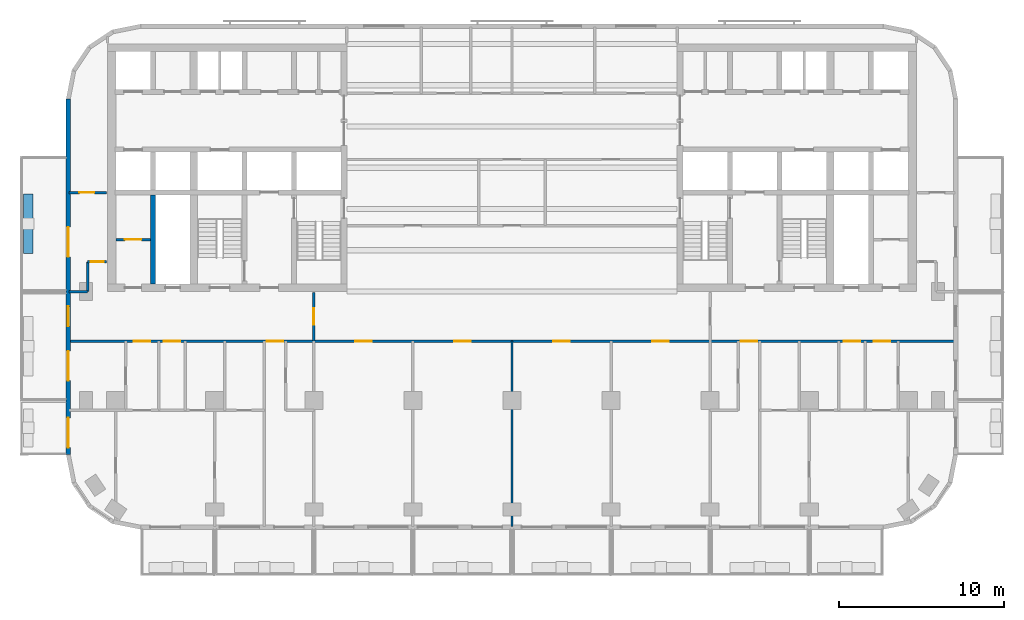
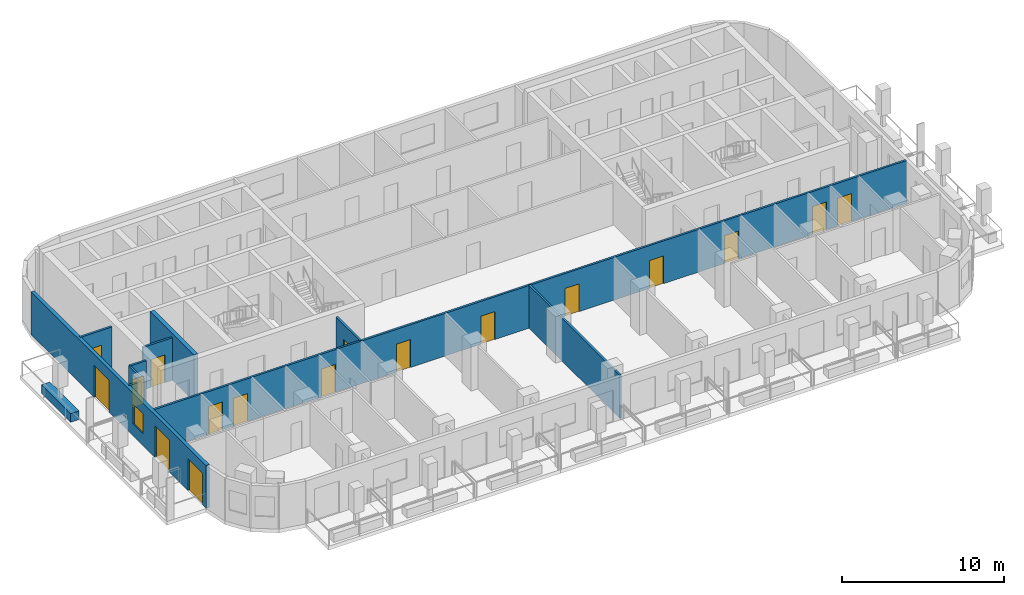
# One storey, part 3 of 12: 17 doors, 11 walls, 1 window, 18 openings.
"""IFC4 building model written with IfcOpenShell, lengths in metres."""

import ifcopenshell
import ifcopenshell.guid

model = None  # the IFC model being written
_history = None  # IfcOwnerHistory: only IFC2X3 demands one
_inside = {}  # id of a spatial element -> (the spatial element, [elements in it])
_under = {}  # id of a project, library or spatial element -> (it, [spatial elements below it])
_declared = {}  # id of a project -> (the project, [libraries it declares])
_typed = {}  # id of a type object -> (the type object, [elements of that type])
_made_of = {}  # id of a material, layer set ... -> (it, [elements and type objects made of it])


def new_model(schema):
    """Start an empty IFC model of exactly this schema.

    Asked for "IFC4X3", IfcOpenShell would pick the latest addendum, in which some entities
    have other attributes; the version numbers below select the first issue.
    IFC2X3 requires an IfcOwnerHistory on every rooted entity: one is made here for all.
    """
    global model, _history
    if schema == "IFC4X3":
        model = ifcopenshell.file(schema_version=(4, 3, 0, 0))
    else:
        model = ifcopenshell.file(schema=schema)
    _inside.clear()
    _under.clear()
    _declared.clear()
    _typed.clear()
    _made_of.clear()
    _history = None
    if model.schema == "IFC2X3":
        org = make("IfcOrganization", Name="unknown")
        user = make(
            "IfcPersonAndOrganization",
            ThePerson=make("IfcPerson", FamilyName="unknown"),
            TheOrganization=org,
        )
        app = make(
            "IfcApplication",
            ApplicationDeveloper=org,
            Version="unknown",
            ApplicationFullName="unknown",
            ApplicationIdentifier="unknown",
        )
        _history = make(
            "IfcOwnerHistory",
            OwningUser=user,
            OwningApplication=app,
            ChangeAction="ADDED",
            CreationDate=0,
        )
    return model


def make(cls, **values):
    """One entity of the class cls with the attributes given. An attribute that is None is left unset."""
    return model.create_entity(
        cls, **{name: value for name, value in values.items() if value is not None}
    )


def rooted(cls, **values):
    """An entity with a GlobalId (a new one), such as an element, a storey or a relation."""
    return make(cls, GlobalId=ifcopenshell.guid.new(), OwnerHistory=_history, **values)


def si_unit(unit_type, name, prefix=None):
    """IfcSIUnit, for example si_unit("LENGTHUNIT", "METRE", prefix="MILLI")."""
    return make("IfcSIUnit", UnitType=unit_type, Prefix=prefix, Name=name)


def assignment(units):
    """IfcUnitAssignment: the units of a project."""
    return None if units is None else make("IfcUnitAssignment", Units=units)


def point(xyz):
    """IfcCartesianPoint."""
    return None if xyz is None else make("IfcCartesianPoint", Coordinates=xyz)


def direction(xyz):
    """IfcDirection."""
    return None if xyz is None else make("IfcDirection", DirectionRatios=xyz)


def frame(location, z_axis=None, x_axis=None):
    """IfcAxis2Placement3D, a coordinate frame: its origin and axes. An axis left out is left unset."""
    return make(
        "IfcAxis2Placement3D",
        Location=point(location),
        Axis=direction(z_axis),
        RefDirection=direction(x_axis),
    )


def frame_2d(location, x_axis=None):
    """IfcAxis2Placement2D, a coordinate frame in the plane: its origin and x axis."""
    return make(
        "IfcAxis2Placement2D", Location=point(location), RefDirection=direction(x_axis)
    )


def origin():
    """The frame at (0, 0, 0) with its axes left unset."""
    return frame((0.0, 0.0, 0.0))


def place(relative_to, where):
    """IfcLocalPlacement: puts the frame where relative to a parent placement (None: the world)."""
    return make(
        "IfcLocalPlacement", PlacementRelTo=relative_to, RelativePlacement=where
    )


def context(
    kind, dimensions, precision=None, world=None, true_north=None, identifier=None
):
    """IfcGeometricRepresentationContext, for example the 3D "Model" context."""
    return make(
        "IfcGeometricRepresentationContext",
        ContextIdentifier=identifier,
        ContextType=kind,
        CoordinateSpaceDimension=dimensions,
        Precision=precision,
        WorldCoordinateSystem=world,
        TrueNorth=true_north,
    )


def subcontext(parent, identifier, kind, view, scale=None):
    """IfcGeometricRepresentationSubContext, for example "Body" below "Model"."""
    return make(
        "IfcGeometricRepresentationSubContext",
        ContextIdentifier=identifier,
        ContextType=kind,
        ParentContext=parent,
        TargetScale=scale,
        TargetView=view,
    )


def project(units=None, contexts=None):
    """IfcProject with its units and contexts."""
    return rooted(
        "IfcProject",
        Name="project",
        RepresentationContexts=contexts,
        UnitsInContext=assignment(units),
    )


def spatial(cls, under=None, at=None, **own):
    """A site, building, storey or space (cls), placed at a placement, below another one or the project."""
    s = rooted(cls, ObjectPlacement=at, **own)
    if under is not None:
        _under.setdefault(under.id(), (under, []))[1].append(s)
    return s


def profile(cls, at=None, kind="AREA", **sizes):
    """A parametric profile (cls). Its sizes go by their IFC names, for example OverallWidth=200.0."""
    return make(cls, ProfileType=kind, Position=at, **sizes)


def rectangle(**sizes):
    """IfcRectangleProfileDef."""
    return profile("IfcRectangleProfileDef", **sizes)


def extrude(swept, where, along, depth):
    """IfcExtrudedAreaSolid: the profile swept, set in the frame where, extruded along a direction by depth."""
    return make(
        "IfcExtrudedAreaSolid",
        SweptArea=swept,
        Position=where,
        ExtrudedDirection=direction(along),
        Depth=depth,
    )


def shape(context_of_items, identifier, shape_type, items):
    """IfcShapeRepresentation: the items that make up one representation, for example the "Body"."""
    return make(
        "IfcShapeRepresentation",
        ContextOfItems=context_of_items,
        RepresentationIdentifier=identifier,
        RepresentationType=shape_type,
        Items=items,
    )


def material(Name=None, Category=None):
    """IfcMaterial."""
    return make("IfcMaterial", Name=Name, Category=Category)


def layer(
    of_material, thickness, ventilated=None, Name=None, Category=None, Priority=None
):
    """IfcMaterialLayer: one layer of a wall or slab, of a material (None: an air gap)."""
    return make(
        "IfcMaterialLayer",
        Material=of_material,
        LayerThickness=thickness,
        IsVentilated=ventilated,
        Name=Name,
        Category=Category,
        Priority=Priority,
    )


def layer_set(layers, Name=None):
    """IfcMaterialLayerSet."""
    return make("IfcMaterialLayerSet", MaterialLayers=layers, LayerSetName=Name)


def made_of(thing, what):
    """Note that an element or type object is made of a material, layer set ...; save() writes the relation."""
    if what is not None:
        _made_of.setdefault(what.id(), (what, []))[1].append(thing)
    return thing


def type_object(cls, material=None, **own):
    """A type object (cls), such as IfcWallType, which elements share."""
    return made_of(rooted(cls, **own), material)


def element(
    cls,
    number,
    at=None,
    inside=None,
    cuts=None,
    type_object=None,
    material=None,
    context=None,
    identifier="Body",
    shape_type=None,
    held_by="IfcProductDefinitionShape",
    body=None,
    shapes=None,
    **own,
):
    """One element of the class cls, such as IfcWall. Its Tag is "e" and its number.

    at: its placement. inside: the storey or other place that contains it. cuts: it is an
    opening in that element (IfcRelVoidsElement). A single representation is given by context,
    identifier, shape_type and body (its items); several are given by shapes. held_by: the class
    of the entity that holds the representations. save() writes the other relations.
    """
    e = rooted(cls, Tag="e%d" % number, ObjectPlacement=at, **own)
    if body is not None:
        shapes = [shape(context, identifier, shape_type, body)]
    if shapes is not None:
        e.Representation = make(held_by, Representations=shapes)
    if inside is not None:
        _inside.setdefault(inside.id(), (inside, []))[1].append(e)
    if cuts is not None:
        rooted(
            "IfcRelVoidsElement", RelatingBuildingElement=cuts, RelatedOpeningElement=e
        )
    if type_object is not None:
        _typed.setdefault(type_object.id(), (type_object, []))[1].append(e)
    return made_of(e, material)


def fill(opening, filler):
    """IfcRelFillsElement: the door or window that sits in an opening."""
    return rooted(
        "IfcRelFillsElement",
        RelatingOpeningElement=opening,
        RelatedBuildingElement=filler,
    )


def aggregate(whole, parts):
    """IfcRelAggregates: a whole, such as a stair, and the parts it consists of."""
    return rooted("IfcRelAggregates", RelatingObject=whole, RelatedObjects=parts)


def save(model, path):
    """Write the relations noted so far, then the file.

    IfcRelAggregates (storeys below a building ...), IfcRelContainedInSpatialStructure (elements
    in a storey), IfcRelDefinesByType, IfcRelAssociatesMaterial and IfcRelDeclares: one each for
    every whole, place, type object, material and project.
    """
    for whole, parts in _under.values():
        aggregate(whole, parts)
    for where, things in _inside.values():
        rooted(
            "IfcRelContainedInSpatialStructure",
            RelatedElements=things,
            RelatingStructure=where,
        )
    for kind, things in _typed.values():
        rooted("IfcRelDefinesByType", RelatedObjects=things, RelatingType=kind)
    for what, things in _made_of.values():
        rooted("IfcRelAssociatesMaterial", RelatedObjects=things, RelatingMaterial=what)
    for by, libraries in _declared.values():
        rooted("IfcRelDeclares", RelatingContext=by, RelatedDefinitions=libraries)
    model.write(path)


model = new_model("IFC4")

# Units and contexts
model_context = context("Model", 3, precision=1e-05, world=origin(), true_north=direction((0.0, 1.0)))
body_context = subcontext(model_context, "Body", "Model", "MODEL_VIEW")
ifc_project = project(units=[si_unit("LENGTHUNIT", "METRE"), si_unit("AREAUNIT", "SQUARE_METRE"), si_unit("VOLUMEUNIT", "CUBIC_METRE"), si_unit("PLANEANGLEUNIT", "RADIAN"), si_unit("MASSUNIT", "GRAM", prefix="KILO")], contexts=[model_context])

# Site, building, storey
site_placement = place(None, origin())
site = spatial("IfcSite", under=ifc_project, at=site_placement, CompositionType="ELEMENT")
building_placement = place(site_placement, origin())
building = spatial("IfcBuilding", under=site, at=building_placement, Name="Torana Hotel and Residences", CompositionType="ELEMENT")
storey_placement = place(building_placement, frame((0.0, 0.0, 197.60009765625)))
storey = spatial("IfcBuildingStorey", under=building, at=storey_placement, Name="L51", CompositionType="ELEMENT", Elevation=197.60009765625)

# Wall
ifc_material_1 = material(Name="Concrete C70/85", Category="concrete")
ifc_layer_1 = layer(ifc_material_1, 0.300048828125)
ifc_layer_set_1 = layer_set([ifc_layer_1], Name="CORE WALL 300 C70/85")
wall_type_1 = type_object("IfcWallType", Name="CORE WALL 300 C70/85", PredefinedType="SHEAR", material=ifc_layer_set_1)
wall_1_placement = place(storey_placement, frame((-21.75, -14.550048828125, 0.0), z_axis=(0.0, 0.0, 1.0), x_axis=(0.0, 1.0, 0.0)))
element("IfcWall", 1, at=wall_1_placement, inside=storey, type_object=wall_type_1, Name="Core wall W mm-band", PredefinedType="SHEAR", context=body_context, shape_type="SweptSolid", body=[
    extrude(rectangle(XDim=5.400146484375, YDim=0.300048828125, at=frame_2d((2.7001953125, 0.0))), origin(), (0.0, 0.0, 1.0), 3.5),
])

# Wall, openings, doors, window
ifc_material_2 = material(Name="Black aluminium composite panel", Category="aluminium")
ifc_layer_2 = layer(ifc_material_2, 0.00390625, Name="Cladding", Category="cladding")
ifc_material_3 = material(Name="Ventilated air cavity")
ifc_layer_3 = layer(ifc_material_3, 0.0400390625, Name="Ventilated cavity", Category="cavity")
ifc_material_4 = material(Name="Mineral wool insulation")
ifc_layer_4 = layer(ifc_material_4, 0.090087890625, Name="Insulation", Category="insulation")
ifc_material_5 = material(Name="Steel S280GD", Category="steel")
ifc_layer_5 = layer(ifc_material_5, 0.092041015625, Name="Steel stud frame", Category="structure")
ifc_material_6 = material(Name="Fire rated plasterboard")
ifc_layer_6 = layer(ifc_material_6, 0.011962890625, Name="Inner board", Category="finish")
ifc_layer_7 = layer(ifc_material_6, 0.011962890625, Name="Second board", Category="finish")
ifc_layer_set_2 = layer_set([ifc_layer_2, ifc_layer_3, ifc_layer_4, ifc_layer_5, ifc_layer_6, ifc_layer_7], Name="EW1 EXTERNAL WALL BLACK METAL CLAD 250")
wall_type_2 = type_object("IfcWallType", Name="EW1 EXTERNAL WALL BLACK METAL CLAD 250", PredefinedType="SOLIDWALL", material=ifc_layer_set_2)
wall_2_placement = place(storey_placement, frame((-26.875, -3.32470703125, 0.0), z_axis=(0.0, 0.0, 1.0), x_axis=(0.0, -1.0, 0.0)))
wall_2 = element("IfcWall", 2, at=wall_2_placement, inside=storey, type_object=wall_type_2, Name="External wall L51 e0.9", PredefinedType="SOLIDWALL", context=body_context, shape_type="SweptSolid", body=[
    extrude(rectangle(XDim=21.55078125, YDim=0.25, at=frame_2d((10.775390625, 0.0))), origin(), (0.0, 0.0, 1.0), 3.219970703125),
])
opening_1_placement = place(wall_2_placement, frame((7.775390625, 0.0, 0.0)))
opening_1 = element("IfcOpeningElement", 3, at=opening_1_placement, cuts=wall_2, Name="Opening L51-E12", PredefinedType="OPENING", context=body_context, shape_type="SweptSolid", body=[
    extrude(rectangle(XDim=1.800048828125, YDim=2.39990234375, at=frame_2d((0.89990234375, 1.199951171875))), frame((0.0, 0.135009765625, 0.0), z_axis=(0.0, -1.0, 0.0), x_axis=(1.0, 0.0, 0.0)), (0.0, 0.0, 1.0), 0.27001953125),
])
opening_2_placement = place(wall_2_placement, frame((12.575439453125, 0.0, 0.89990234375)))
opening_2 = element("IfcOpeningElement", 4, at=opening_2_placement, cuts=wall_2, Name="Opening W5", PredefinedType="OPENING", context=body_context, shape_type="SweptSolid", body=[
    extrude(rectangle(XDim=1.199951171875, YDim=1.5, at=frame_2d((0.60009765625, 0.75))), frame((0.0, 0.135009765625, 0.0), z_axis=(0.0, -1.0, 0.0), x_axis=(1.0, 0.0, 0.0)), (0.0, 0.0, 1.0), 0.27001953125),
])
opening_3_placement = place(wall_2_placement, frame((15.275390625, 0.0, 0.0)))
opening_3 = element("IfcOpeningElement", 5, at=opening_3_placement, cuts=wall_2, Name="Opening L51-E13", PredefinedType="OPENING", context=body_context, shape_type="SweptSolid", body=[
    extrude(rectangle(XDim=1.800048828125, YDim=2.39990234375, at=frame_2d((0.89990234375, 1.199951171875))), frame((0.0, 0.135009765625, 0.0), z_axis=(0.0, -1.0, 0.0), x_axis=(1.0, 0.0, 0.0)), (0.0, 0.0, 1.0), 0.27001953125),
])
opening_4_placement = place(wall_2_placement, frame((19.325439453125, 0.0, 0.0)))
opening_4 = element("IfcOpeningElement", 6, at=opening_4_placement, cuts=wall_2, Name="Opening L51-E14", PredefinedType="OPENING", context=body_context, shape_type="SweptSolid", body=[
    extrude(rectangle(XDim=1.800048828125, YDim=2.39990234375, at=frame_2d((0.89990234375, 1.199951171875))), frame((0.0, 0.135009765625, 0.0), z_axis=(0.0, -1.0, 0.0), x_axis=(1.0, 0.0, 0.0)), (0.0, 0.0, 1.0), 0.27001953125),
])
ifc_material_7 = material(Name="Dark glass in black aluminium frame", Category="aluminium")
door_type_1 = type_object("IfcDoorType", Name="DB1 BALCONY DOOR 1800x2400", OperationType="DOUBLE_DOOR_SINGLE_SWING", PredefinedType="DOOR", material=ifc_material_7)
door_1_placement = place(opening_1_placement, origin())
door_1 = element("IfcDoor", 7, at=door_1_placement, inside=storey, type_object=door_type_1, Name="Balcony door L51", OperationType="DOUBLE_DOOR_SINGLE_SWING", OverallHeight=2.39990234375, OverallWidth=1.800048828125, PredefinedType="DOOR", context=body_context, shape_type="SweptSolid", body=[
    extrude(rectangle(XDim=1.800048828125, YDim=2.39990234375, at=frame_2d((0.89990234375, 1.199951171875))), frame((0.0, 0.02490234375, 0.0), z_axis=(0.0, -1.0, 0.0), x_axis=(1.0, 0.0, 0.0)), (0.0, 0.0, 1.0), 0.050048828125),
])
fill(opening_1, door_1)
door_2_placement = place(opening_3_placement, origin())
door_2 = element("IfcDoor", 8, at=door_2_placement, inside=storey, type_object=door_type_1, Name="Balcony door L51", OperationType="DOUBLE_DOOR_SINGLE_SWING", OverallHeight=2.39990234375, OverallWidth=1.800048828125, PredefinedType="DOOR", context=body_context, shape_type="SweptSolid", body=[
    extrude(rectangle(XDim=1.800048828125, YDim=2.39990234375, at=frame_2d((0.89990234375, 1.199951171875))), frame((0.0, 0.02490234375, 0.0), z_axis=(0.0, -1.0, 0.0), x_axis=(1.0, 0.0, 0.0)), (0.0, 0.0, 1.0), 0.050048828125),
])
fill(opening_3, door_2)
door_3_placement = place(opening_4_placement, origin())
door_3 = element("IfcDoor", 9, at=door_3_placement, inside=storey, type_object=door_type_1, Name="Balcony door L51", OperationType="DOUBLE_DOOR_SINGLE_SWING", OverallHeight=2.39990234375, OverallWidth=1.800048828125, PredefinedType="DOOR", context=body_context, shape_type="SweptSolid", body=[
    extrude(rectangle(XDim=1.800048828125, YDim=2.39990234375, at=frame_2d((0.89990234375, 1.199951171875))), frame((0.0, 0.02490234375, 0.0), z_axis=(0.0, -1.0, 0.0), x_axis=(1.0, 0.0, 0.0)), (0.0, 0.0, 1.0), 0.050048828125),
])
fill(opening_4, door_3)
ifc_material_8 = material(Name="Dark glass in black aluminium frame", Category="aluminium")
window_type = type_object("IfcWindowType", Name="W5 CORNER FACET WINDOW 1200x1500", PartitioningType="SINGLE_PANEL", PredefinedType="WINDOW", material=ifc_material_8)
window_placement = place(opening_2_placement, origin())
window = element("IfcWindow", 10, at=window_placement, inside=storey, type_object=window_type, Name="Window L51", OverallHeight=1.5, OverallWidth=1.199951171875, PartitioningType="SINGLE_PANEL", PredefinedType="WINDOW", context=body_context, shape_type="SweptSolid", body=[
    extrude(rectangle(XDim=1.199951171875, YDim=1.5, at=frame_2d((0.60009765625, 0.75))), frame((0.0, 0.030029296875, 0.0), z_axis=(0.0, -1.0, 0.0), x_axis=(1.0, 0.0, 0.0)), (0.0, 0.0, 1.0), 0.06005859375),
])
fill(opening_2, window)

# Wall, opening, door
ifc_material_9 = material(Name="Gypsum plaster")
ifc_layer_8 = layer(ifc_material_9, 0.014892578125, Name="Plaster", Category="finish")
ifc_material_10 = material(Name="Concrete blockwork", Category="masonry")
ifc_layer_9 = layer(ifc_material_10, 0.1201171875, Name="Blockwork", Category="structure")
ifc_layer_10 = layer(ifc_material_9, 0.014892578125, Name="Plaster", Category="finish")
ifc_layer_set_3 = layer_set([ifc_layer_8, ifc_layer_9, ifc_layer_10], Name="FIRE PARTITION 150 BLOCKWORK")
wall_type_3 = type_object("IfcWallType", Name="FIRE PARTITION 150 BLOCKWORK", PredefinedType="PARTITIONING", material=ifc_layer_set_3)
wall_3_placement = place(storey_placement, frame((-24.0, -11.85009765625, 0.0), z_axis=(0.0, 0.0, 1.0), x_axis=(1.0, 0.0, 0.0)))
wall_3 = element("IfcWall", 11, at=wall_3_placement, inside=storey, type_object=wall_type_3, Name="Core partition L51", PredefinedType="PARTITIONING", context=body_context, shape_type="SweptSolid", body=[
    extrude(rectangle(XDim=2.10009765625, YDim=0.14990234375, at=frame_2d((1.050048828125, 0.0))), origin(), (0.0, 0.0, 1.0), 3.199951171875),
])
opening_5_placement = place(wall_3_placement, frame((0.550048828125, 0.0, 0.0)))
opening_5 = element("IfcOpeningElement", 12, at=opening_5_placement, cuts=wall_3, Name="Opening L51-31", PredefinedType="OPENING", context=body_context, shape_type="SweptSolid", body=[
    extrude(rectangle(XDim=1.0, YDim=2.10009765625, at=frame_2d((0.5, 1.050048828125))), frame((0.0, 0.0849609375, 0.0), z_axis=(0.0, -1.0, 0.0), x_axis=(1.0, 0.0, 0.0)), (0.0, 0.0, 1.0), 0.169921875),
])
ifc_material_11 = material(Name="Steel S235", Category="steel")
door_type_2 = type_object("IfcDoorType", Name="CORE ROOM FIRE DOOR D14 1000x2100", OperationType="SINGLE_SWING_LEFT", PredefinedType="DOOR", material=ifc_material_11)
door_4_placement = place(opening_5_placement, origin())
door_4 = element("IfcDoor", 13, at=door_4_placement, inside=storey, type_object=door_type_2, Name="Plant room door L51", OperationType="SINGLE_SWING_RIGHT", OverallHeight=2.10009765625, OverallWidth=1.0, PredefinedType="DOOR", context=body_context, shape_type="SweptSolid", body=[
    extrude(rectangle(XDim=1.0, YDim=2.10009765625, at=frame_2d((0.5, 1.050048828125))), frame((0.0, 0.02490234375, 0.0), z_axis=(0.0, -1.0, 0.0), x_axis=(1.0, 0.0, 0.0)), (0.0, 0.0, 1.0), 0.050048828125),
])
fill(opening_5, door_4)

wall_4_placement = place(storey_placement, frame((-12.0, -18.0, 0.0), z_axis=(0.0, 0.0, 1.0), x_axis=(0.0, 1.0, 0.0)))
wall_4 = element("IfcWall", 14, at=wall_4_placement, inside=storey, type_object=wall_type_3, Name="Partition L51", PredefinedType="PARTITIONING", context=body_context, shape_type="SweptSolid", body=[
    extrude(rectangle(XDim=2.949951171875, YDim=0.14990234375, at=frame_2d((1.47509765625, 0.0))), origin(), (0.0, 0.0, 1.0), 3.219970703125),
])
opening_6_placement = place(wall_4_placement, frame((1.0, 0.0, 0.0)))
opening_6 = element("IfcOpeningElement", 15, at=opening_6_placement, cuts=wall_4, Name="Opening L51-33", PredefinedType="OPENING", context=body_context, shape_type="SweptSolid", body=[
    extrude(rectangle(XDim=1.0, YDim=2.10009765625, at=frame_2d((0.5, 1.050048828125))), frame((0.0, 0.0849609375, 0.0), z_axis=(0.0, -1.0, 0.0), x_axis=(1.0, 0.0, 0.0)), (0.0, 0.0, 1.0), 0.169921875),
])
ifc_material_12 = material(Name="Steel S235", Category="steel")
door_type_3 = type_object("IfcDoorType", Name="ENTRY FIRE DOOR D6 1000x2100", OperationType="SINGLE_SWING_LEFT", PredefinedType="DOOR", material=ifc_material_12)
door_5_placement = place(opening_6_placement, origin())
door_5 = element("IfcDoor", 16, at=door_5_placement, inside=storey, type_object=door_type_3, Name="Door L51", OperationType="SINGLE_SWING_RIGHT", OverallHeight=2.10009765625, OverallWidth=1.0, PredefinedType="DOOR", context=body_context, shape_type="SweptSolid", body=[
    extrude(rectangle(XDim=1.0, YDim=2.10009765625, at=frame_2d((0.5, 1.050048828125))), frame((0.0, 0.02490234375, 0.0), z_axis=(0.0, -1.0, 0.0), x_axis=(1.0, 0.0, 0.0)), (0.0, 0.0, 1.0), 0.050048828125),
])
fill(opening_6, door_5)

# Wall
wall_5_placement = place(storey_placement, frame((-25.699951171875, -15.0, 0.0), z_axis=(0.0, 0.0, 1.0), x_axis=(0.0, 1.0, 0.0)))
element("IfcWall", 17, at=wall_5_placement, inside=storey, type_object=wall_type_3, Name="Partition L51", PredefinedType="PARTITIONING", context=body_context, shape_type="SweptSolid", body=[
    extrude(rectangle(XDim=1.800048828125, YDim=0.14990234375, at=frame_2d((0.89990234375, 0.0))), origin(), (0.0, 0.0, 1.0), 3.219970703125),
])

# Wall, openings, doors
wall_6_placement = place(storey_placement, frame((-26.820068359375, -18.0, 0.0), z_axis=(0.0, 0.0, 1.0), x_axis=(1.0, 0.0, 0.0)))
wall_6 = element("IfcWall", 18, at=wall_6_placement, inside=storey, type_object=wall_type_3, Name="Partition L51", PredefinedType="PARTITIONING", context=body_context, shape_type="SweptSolid", body=[
    extrude(rectangle(XDim=53.64013671875, YDim=0.14990234375, at=frame_2d((26.820068359375, 0.0))), origin(), (0.0, 0.0, 1.0), 3.219970703125),
])
opening_7_placement = place(wall_6_placement, frame((11.969970703125, 0.0, 0.0)))
opening_7 = element("IfcOpeningElement", 19, at=opening_7_placement, cuts=wall_6, Name="Opening L51-34", PredefinedType="OPENING", context=body_context, shape_type="SweptSolid", body=[
    extrude(rectangle(XDim=1.0, YDim=2.10009765625, at=frame_2d((0.5, 1.050048828125))), frame((0.0, 0.0849609375, 0.0), z_axis=(0.0, -1.0, 0.0), x_axis=(1.0, 0.0, 0.0)), (0.0, 0.0, 1.0), 0.169921875),
])
opening_8_placement = place(wall_6_placement, frame((3.919921875, 0.0, 0.0)))
opening_8 = element("IfcOpeningElement", 20, at=opening_8_placement, cuts=wall_6, Name="Opening L51-35", PredefinedType="OPENING", context=body_context, shape_type="SweptSolid", body=[
    extrude(rectangle(XDim=1.0, YDim=2.10009765625, at=frame_2d((0.5, 1.050048828125))), frame((0.0, 0.0849609375, 0.0), z_axis=(0.0, -1.0, 0.0), x_axis=(1.0, 0.0, 0.0)), (0.0, 0.0, 1.0), 0.169921875),
])
opening_9_placement = place(wall_6_placement, frame((5.719970703125, 0.0, 0.0)))
opening_9 = element("IfcOpeningElement", 21, at=opening_9_placement, cuts=wall_6, Name="Opening L51-36", PredefinedType="OPENING", context=body_context, shape_type="SweptSolid", body=[
    extrude(rectangle(XDim=1.0, YDim=2.10009765625, at=frame_2d((0.5, 1.050048828125))), frame((0.0, 0.0849609375, 0.0), z_axis=(0.0, -1.0, 0.0), x_axis=(1.0, 0.0, 0.0)), (0.0, 0.0, 1.0), 0.169921875),
])
opening_10_placement = place(wall_6_placement, frame((40.669921875, 0.0, 0.0)))
opening_10 = element("IfcOpeningElement", 22, at=opening_10_placement, cuts=wall_6, Name="Opening L51-39", PredefinedType="OPENING", context=body_context, shape_type="SweptSolid", body=[
    extrude(rectangle(XDim=1.0, YDim=2.10009765625, at=frame_2d((0.5, 1.050048828125))), frame((0.0, 0.0849609375, 0.0), z_axis=(0.0, -1.0, 0.0), x_axis=(1.0, 0.0, 0.0)), (0.0, 0.0, 1.0), 0.169921875),
])
opening_11_placement = place(wall_6_placement, frame((48.719970703125, 0.0, 0.0)))
opening_11 = element("IfcOpeningElement", 23, at=opening_11_placement, cuts=wall_6, Name="Opening L51-40", PredefinedType="OPENING", context=body_context, shape_type="SweptSolid", body=[
    extrude(rectangle(XDim=1.0, YDim=2.10009765625, at=frame_2d((0.5, 1.050048828125))), frame((0.0, 0.0849609375, 0.0), z_axis=(0.0, -1.0, 0.0), x_axis=(1.0, 0.0, 0.0)), (0.0, 0.0, 1.0), 0.169921875),
])
opening_12_placement = place(wall_6_placement, frame((46.919921875, 0.0, 0.0)))
opening_12 = element("IfcOpeningElement", 24, at=opening_12_placement, cuts=wall_6, Name="Opening L51-41", PredefinedType="OPENING", context=body_context, shape_type="SweptSolid", body=[
    extrude(rectangle(XDim=1.0, YDim=2.10009765625, at=frame_2d((0.5, 1.050048828125))), frame((0.0, 0.0849609375, 0.0), z_axis=(0.0, -1.0, 0.0), x_axis=(1.0, 0.0, 0.0)), (0.0, 0.0, 1.0), 0.169921875),
])
opening_13_placement = place(wall_6_placement, frame((17.320068359375, 0.0, 0.0)))
opening_13 = element("IfcOpeningElement", 25, at=opening_13_placement, cuts=wall_6, Name="Opening L51-44", PredefinedType="OPENING", context=body_context, shape_type="SweptSolid", body=[
    extrude(rectangle(XDim=1.0, YDim=2.10009765625, at=frame_2d((0.5, 1.050048828125))), frame((0.0, 0.0849609375, 0.0), z_axis=(0.0, -1.0, 0.0), x_axis=(1.0, 0.0, 0.0)), (0.0, 0.0, 1.0), 0.169921875),
])
opening_14_placement = place(wall_6_placement, frame((23.320068359375, 0.0, 0.0)))
opening_14 = element("IfcOpeningElement", 26, at=opening_14_placement, cuts=wall_6, Name="Opening L51-45", PredefinedType="OPENING", context=body_context, shape_type="SweptSolid", body=[
    extrude(rectangle(XDim=1.0, YDim=2.10009765625, at=frame_2d((0.5, 1.050048828125))), frame((0.0, 0.0849609375, 0.0), z_axis=(0.0, -1.0, 0.0), x_axis=(1.0, 0.0, 0.0)), (0.0, 0.0, 1.0), 0.169921875),
])
opening_15_placement = place(wall_6_placement, frame((29.320068359375, 0.0, 0.0)))
opening_15 = element("IfcOpeningElement", 27, at=opening_15_placement, cuts=wall_6, Name="Opening L51-46", PredefinedType="OPENING", context=body_context, shape_type="SweptSolid", body=[
    extrude(rectangle(XDim=1.0, YDim=2.10009765625, at=frame_2d((0.5, 1.050048828125))), frame((0.0, 0.0849609375, 0.0), z_axis=(0.0, -1.0, 0.0), x_axis=(1.0, 0.0, 0.0)), (0.0, 0.0, 1.0), 0.169921875),
])
opening_16_placement = place(wall_6_placement, frame((35.320068359375, 0.0, 0.0)))
opening_16 = element("IfcOpeningElement", 28, at=opening_16_placement, cuts=wall_6, Name="Opening L51-47", PredefinedType="OPENING", context=body_context, shape_type="SweptSolid", body=[
    extrude(rectangle(XDim=1.0, YDim=2.10009765625, at=frame_2d((0.5, 1.050048828125))), frame((0.0, 0.0849609375, 0.0), z_axis=(0.0, -1.0, 0.0), x_axis=(1.0, 0.0, 0.0)), (0.0, 0.0, 1.0), 0.169921875),
])
door_6_placement = place(opening_7_placement, frame((0.5, 0.0, 0.0), z_axis=(0.0, 0.0, 1.0), x_axis=(-1.0, 0.0, 0.0)))
door_6 = element("IfcDoor", 29, at=door_6_placement, inside=storey, type_object=door_type_3, Name="Door L51", OperationType="SINGLE_SWING_LEFT", OverallHeight=2.10009765625, OverallWidth=1.0, PredefinedType="DOOR", context=body_context, shape_type="SweptSolid", body=[
    extrude(rectangle(XDim=1.0, YDim=2.10009765625, at=frame_2d((0.0, 1.050048828125))), frame((0.0, -0.02490234375, 0.0), z_axis=(0.0, 1.0, 0.0), x_axis=(-1.0, 0.0, 0.0)), (0.0, 0.0, 1.0), 0.050048828125),
])
fill(opening_7, door_6)
door_7_placement = place(opening_8_placement, origin())
door_7 = element("IfcDoor", 30, at=door_7_placement, inside=storey, type_object=door_type_3, Name="Door L51", OperationType="SINGLE_SWING_RIGHT", OverallHeight=2.10009765625, OverallWidth=1.0, PredefinedType="DOOR", context=body_context, shape_type="SweptSolid", body=[
    extrude(rectangle(XDim=1.0, YDim=2.10009765625, at=frame_2d((0.5, 1.050048828125))), frame((0.0, 0.02490234375, 0.0), z_axis=(0.0, -1.0, 0.0), x_axis=(1.0, 0.0, 0.0)), (0.0, 0.0, 1.0), 0.050048828125),
])
fill(opening_8, door_7)
door_8_placement = place(opening_9_placement, frame((0.5, 0.0, 0.0), z_axis=(0.0, 0.0, 1.0), x_axis=(-1.0, 0.0, 0.0)))
door_8 = element("IfcDoor", 31, at=door_8_placement, inside=storey, type_object=door_type_3, Name="Door L51", OperationType="SINGLE_SWING_LEFT", OverallHeight=2.10009765625, OverallWidth=1.0, PredefinedType="DOOR", context=body_context, shape_type="SweptSolid", body=[
    extrude(rectangle(XDim=1.0, YDim=2.10009765625, at=frame_2d((0.0, 1.050048828125))), frame((0.0, -0.02490234375, 0.0), z_axis=(0.0, 1.0, 0.0), x_axis=(-1.0, 0.0, 0.0)), (0.0, 0.0, 1.0), 0.050048828125),
])
fill(opening_9, door_8)
door_9_placement = place(opening_10_placement, frame((0.5, 0.0, 0.0), z_axis=(0.0, 0.0, 1.0), x_axis=(-1.0, 0.0, 0.0)))
door_9 = element("IfcDoor", 32, at=door_9_placement, inside=storey, type_object=door_type_3, Name="Door L51", OperationType="SINGLE_SWING_LEFT", OverallHeight=2.10009765625, OverallWidth=1.0, PredefinedType="DOOR", context=body_context, shape_type="SweptSolid", body=[
    extrude(rectangle(XDim=1.0, YDim=2.10009765625, at=frame_2d((0.0, 1.050048828125))), frame((0.0, -0.02490234375, 0.0), z_axis=(0.0, 1.0, 0.0), x_axis=(-1.0, 0.0, 0.0)), (0.0, 0.0, 1.0), 0.050048828125),
])
fill(opening_10, door_9)
door_10_placement = place(opening_11_placement, origin())
door_10 = element("IfcDoor", 33, at=door_10_placement, inside=storey, type_object=door_type_3, Name="Door L51", OperationType="SINGLE_SWING_RIGHT", OverallHeight=2.10009765625, OverallWidth=1.0, PredefinedType="DOOR", context=body_context, shape_type="SweptSolid", body=[
    extrude(rectangle(XDim=1.0, YDim=2.10009765625, at=frame_2d((0.5, 1.050048828125))), frame((0.0, 0.02490234375, 0.0), z_axis=(0.0, -1.0, 0.0), x_axis=(1.0, 0.0, 0.0)), (0.0, 0.0, 1.0), 0.050048828125),
])
fill(opening_11, door_10)
door_11_placement = place(opening_12_placement, frame((0.5, 0.0, 0.0), z_axis=(0.0, 0.0, 1.0), x_axis=(-1.0, 0.0, 0.0)))
door_11 = element("IfcDoor", 34, at=door_11_placement, inside=storey, type_object=door_type_3, Name="Door L51", OperationType="SINGLE_SWING_LEFT", OverallHeight=2.10009765625, OverallWidth=1.0, PredefinedType="DOOR", context=body_context, shape_type="SweptSolid", body=[
    extrude(rectangle(XDim=1.0, YDim=2.10009765625, at=frame_2d((0.0, 1.050048828125))), frame((0.0, -0.02490234375, 0.0), z_axis=(0.0, 1.0, 0.0), x_axis=(-1.0, 0.0, 0.0)), (0.0, 0.0, 1.0), 0.050048828125),
])
fill(opening_12, door_11)
door_12_placement = place(opening_13_placement, frame((0.5, 0.0, 0.0), z_axis=(0.0, 0.0, 1.0), x_axis=(-1.0, 0.0, 0.0)))
door_12 = element("IfcDoor", 35, at=door_12_placement, inside=storey, type_object=door_type_3, Name="Door L51", OperationType="SINGLE_SWING_LEFT", OverallHeight=2.10009765625, OverallWidth=1.0, PredefinedType="DOOR", context=body_context, shape_type="SweptSolid", body=[
    extrude(rectangle(XDim=1.0, YDim=2.10009765625, at=frame_2d((0.0, 1.050048828125))), frame((0.0, -0.02490234375, 0.0), z_axis=(0.0, 1.0, 0.0), x_axis=(-1.0, 0.0, 0.0)), (0.0, 0.0, 1.0), 0.050048828125),
])
fill(opening_13, door_12)
door_13_placement = place(opening_14_placement, frame((0.5, 0.0, 0.0), z_axis=(0.0, 0.0, 1.0), x_axis=(-1.0, 0.0, 0.0)))
door_13 = element("IfcDoor", 36, at=door_13_placement, inside=storey, type_object=door_type_3, Name="Door L51", OperationType="SINGLE_SWING_LEFT", OverallHeight=2.10009765625, OverallWidth=1.0, PredefinedType="DOOR", context=body_context, shape_type="SweptSolid", body=[
    extrude(rectangle(XDim=1.0, YDim=2.10009765625, at=frame_2d((0.0, 1.050048828125))), frame((0.0, -0.02490234375, 0.0), z_axis=(0.0, 1.0, 0.0), x_axis=(-1.0, 0.0, 0.0)), (0.0, 0.0, 1.0), 0.050048828125),
])
fill(opening_14, door_13)
door_14_placement = place(opening_15_placement, frame((0.5, 0.0, 0.0), z_axis=(0.0, 0.0, 1.0), x_axis=(-1.0, 0.0, 0.0)))
door_14 = element("IfcDoor", 37, at=door_14_placement, inside=storey, type_object=door_type_3, Name="Door L51", OperationType="SINGLE_SWING_LEFT", OverallHeight=2.10009765625, OverallWidth=1.0, PredefinedType="DOOR", context=body_context, shape_type="SweptSolid", body=[
    extrude(rectangle(XDim=1.0, YDim=2.10009765625, at=frame_2d((0.0, 1.050048828125))), frame((0.0, -0.02490234375, 0.0), z_axis=(0.0, 1.0, 0.0), x_axis=(-1.0, 0.0, 0.0)), (0.0, 0.0, 1.0), 0.050048828125),
])
fill(opening_15, door_14)
door_15_placement = place(opening_16_placement, frame((0.5, 0.0, 0.0), z_axis=(0.0, 0.0, 1.0), x_axis=(-1.0, 0.0, 0.0)))
door_15 = element("IfcDoor", 38, at=door_15_placement, inside=storey, type_object=door_type_3, Name="Door L51", OperationType="SINGLE_SWING_LEFT", OverallHeight=2.10009765625, OverallWidth=1.0, PredefinedType="DOOR", context=body_context, shape_type="SweptSolid", body=[
    extrude(rectangle(XDim=1.0, YDim=2.10009765625, at=frame_2d((0.0, 1.050048828125))), frame((0.0, -0.02490234375, 0.0), z_axis=(0.0, 1.0, 0.0), x_axis=(-1.0, 0.0, 0.0)), (0.0, 0.0, 1.0), 0.050048828125),
])
fill(opening_16, door_15)

# Wall
wall_7_placement = place(storey_placement, frame((-26.820068359375, -15.0, 0.0), z_axis=(0.0, 0.0, 1.0), x_axis=(1.0, 0.0, 0.0)))
element("IfcWall", 39, at=wall_7_placement, inside=storey, type_object=wall_type_3, Name="Partition L51", PredefinedType="PARTITIONING", context=body_context, shape_type="SweptSolid", body=[
    extrude(rectangle(XDim=1.1201171875, YDim=0.14990234375, at=frame_2d((0.56005859375, 0.0))), origin(), (0.0, 0.0, 1.0), 3.219970703125),
])

# Wall, opening, door
wall_8_placement = place(storey_placement, frame((-25.699951171875, -13.199951171875, 0.0), z_axis=(0.0, 0.0, 1.0), x_axis=(1.0, 0.0, 0.0)))
wall_8 = element("IfcWall", 40, at=wall_8_placement, inside=storey, type_object=wall_type_3, Name="Partition L51", PredefinedType="PARTITIONING", context=body_context, shape_type="SweptSolid", body=[
    extrude(rectangle(XDim=1.14990234375, YDim=0.14990234375, at=frame_2d((0.574951171875, 0.0))), origin(), (0.0, 0.0, 1.0), 3.219970703125),
])
opening_17_placement = place(wall_8_placement, frame((0.175048828125, 0.0, 0.0)))
opening_17 = element("IfcOpeningElement", 41, at=opening_17_placement, cuts=wall_8, Name="Opening L51-37", PredefinedType="OPENING", context=body_context, shape_type="SweptSolid", body=[
    extrude(rectangle(XDim=0.800048828125, YDim=2.10009765625, at=frame_2d((0.39990234375, 1.050048828125))), frame((0.0, 0.0849609375, 0.0), z_axis=(0.0, -1.0, 0.0), x_axis=(1.0, 0.0, 0.0)), (0.0, 0.0, 1.0), 0.169921875),
])
ifc_material_13 = material(Name="Steel S235", Category="steel")
door_type_4 = type_object("IfcDoorType", Name="STORE FIRE DOOR D16 800x2100", OperationType="SINGLE_SWING_LEFT", PredefinedType="DOOR", material=ifc_material_13)
door_16_placement = place(opening_17_placement, origin())
door_16 = element("IfcDoor", 42, at=door_16_placement, inside=storey, type_object=door_type_4, Name="Door L51", OperationType="SINGLE_SWING_LEFT", OverallHeight=2.10009765625, OverallWidth=0.800048828125, PredefinedType="DOOR", context=body_context, shape_type="SweptSolid", body=[
    extrude(rectangle(XDim=0.800048828125, YDim=2.10009765625, at=frame_2d((0.39990234375, 1.050048828125))), frame((0.0, 0.02490234375, 0.0), z_axis=(0.0, -1.0, 0.0), x_axis=(1.0, 0.0, 0.0)), (0.0, 0.0, 1.0), 0.050048828125),
])
fill(opening_17, door_16)

# Wall
ifc_material_14 = material(Name="Gypsum plasterboard")
ifc_layer_11 = layer(ifc_material_14, 0.012451171875, Name="Plasterboard", Category="finish")
ifc_layer_12 = layer(ifc_material_14, 0.012451171875, Name="Plasterboard", Category="finish")
ifc_layer_13 = layer(ifc_material_5, 0.10009765625, Name="Steel studs with mineral wool", Category="insulation")
ifc_layer_14 = layer(ifc_material_14, 0.012451171875, Name="Plasterboard", Category="finish")
ifc_layer_15 = layer(ifc_material_14, 0.012451171875, Name="Plasterboard", Category="finish")
ifc_layer_set_4 = layer_set([ifc_layer_11, ifc_layer_12, ifc_layer_13, ifc_layer_14, ifc_layer_15], Name="PARTITION 150 PLASTERBOARD")
wall_type_4 = type_object("IfcWallType", Name="PARTITION 150 PLASTERBOARD", PredefinedType="PARTITIONING", material=ifc_layer_set_4)
wall_9_placement = place(storey_placement, frame((0.0, -29.219970703125, 0.0), z_axis=(0.0, 0.0, 1.0), x_axis=(0.0, 1.0, 0.0)))
element("IfcWall", 43, at=wall_9_placement, inside=storey, type_object=wall_type_4, Name="Partition L51", PredefinedType="PARTITIONING", context=body_context, shape_type="SweptSolid", body=[
    extrude(rectangle(XDim=11.219970703125, YDim=0.14990234375, at=frame_2d((5.60986328125, 0.0))), origin(), (0.0, 0.0, 1.0), 3.219970703125),
])

# Wall, opening, door
wall_10_placement = place(storey_placement, frame((-26.820068359375, -9.0, 0.0), z_axis=(0.0, 0.0, 1.0), x_axis=(1.0, 0.0, 0.0)))
wall_10 = element("IfcWall", 44, at=wall_10_placement, inside=storey, type_object=wall_type_4, Name="Partition L51", PredefinedType="PARTITIONING", context=body_context, shape_type="SweptSolid", body=[
    extrude(rectangle(XDim=2.27001953125, YDim=0.14990234375, at=frame_2d((1.135009765625, 0.0))), origin(), (0.0, 0.0, 1.0), 3.219970703125),
])
opening_18_placement = place(wall_10_placement, frame((0.6201171875, 0.0, 0.0)))
opening_18 = element("IfcOpeningElement", 45, at=opening_18_placement, cuts=wall_10, Name="Opening L51-70", PredefinedType="OPENING", context=body_context, shape_type="SweptSolid", body=[
    extrude(rectangle(XDim=0.89990234375, YDim=2.10009765625, at=frame_2d((0.449951171875, 1.050048828125))), frame((0.0, 0.0849609375, 0.0), z_axis=(0.0, -1.0, 0.0), x_axis=(1.0, 0.0, 0.0)), (0.0, 0.0, 1.0), 0.169921875),
])
ifc_material_15 = material(Name="Timber door, oiled ash", Category="wood")
door_type_5 = type_object("IfcDoorType", Name="ROOM DOOR D7 900x2100", OperationType="SINGLE_SWING_LEFT", PredefinedType="DOOR", material=ifc_material_15)
door_17_placement = place(opening_18_placement, origin())
door_17 = element("IfcDoor", 46, at=door_17_placement, inside=storey, type_object=door_type_5, Name="Door L51", OperationType="SINGLE_SWING_RIGHT", OverallHeight=2.10009765625, OverallWidth=0.89990234375, PredefinedType="DOOR", context=body_context, shape_type="SweptSolid", body=[
    extrude(rectangle(XDim=0.89990234375, YDim=2.10009765625, at=frame_2d((0.449951171875, 1.050048828125))), frame((0.0, 0.02490234375, 0.0), z_axis=(0.0, -1.0, 0.0), x_axis=(1.0, 0.0, 0.0)), (0.0, 0.0, 1.0), 0.050048828125),
])
fill(opening_18, door_17)

# Wall
ifc_material_16 = material(Name="Concrete C40/50 precast", Category="concrete")
ifc_layer_16 = layer(ifc_material_16, 0.10009765625, Name="Planter shell", Category="structure")
ifc_material_17 = material(Name="Root resistant membrane")
ifc_layer_17 = layer(ifc_material_17, 0.00390625, Name="Waterproofing membrane", Category="membrane")
ifc_material_18 = material(Name="Drainage board with filter fleece")
ifc_layer_18 = layer(ifc_material_18, 0.02001953125, Name="Drainage board", Category="drainage")
ifc_material_19 = material(Name="Growing medium")
ifc_layer_19 = layer(ifc_material_19, 0.47607421875, Name="Planting substrate", Category="soil")
ifc_layer_set_5 = layer_set([ifc_layer_16, ifc_layer_17, ifc_layer_18, ifc_layer_19], Name="PL1 BALCONY PLANTER 600")
wall_type_5 = type_object("IfcWallType", Name="PL1 BALCONY PLANTER 600", PredefinedType="USERDEFINED", material=ifc_layer_set_5)
wall_11_placement = place(storey_placement, frame((-29.300048828125, -12.699951171875, 0.0), z_axis=(0.0, 0.0, 1.0), x_axis=(0.0, 1.0, 0.0)))
element("IfcWall", 47, at=wall_11_placement, inside=storey, type_object=wall_type_5, Name="Planter 11", ObjectType="PLANTER", PredefinedType="USERDEFINED", context=body_context, shape_type="SweptSolid", body=[
    extrude(rectangle(XDim=3.599853515625, YDim=0.60009765625, at=frame_2d((1.7998046875, 0.0))), origin(), (0.0, 0.0, 1.0), 0.64990234375),
])

save(model, "model.ifc")
